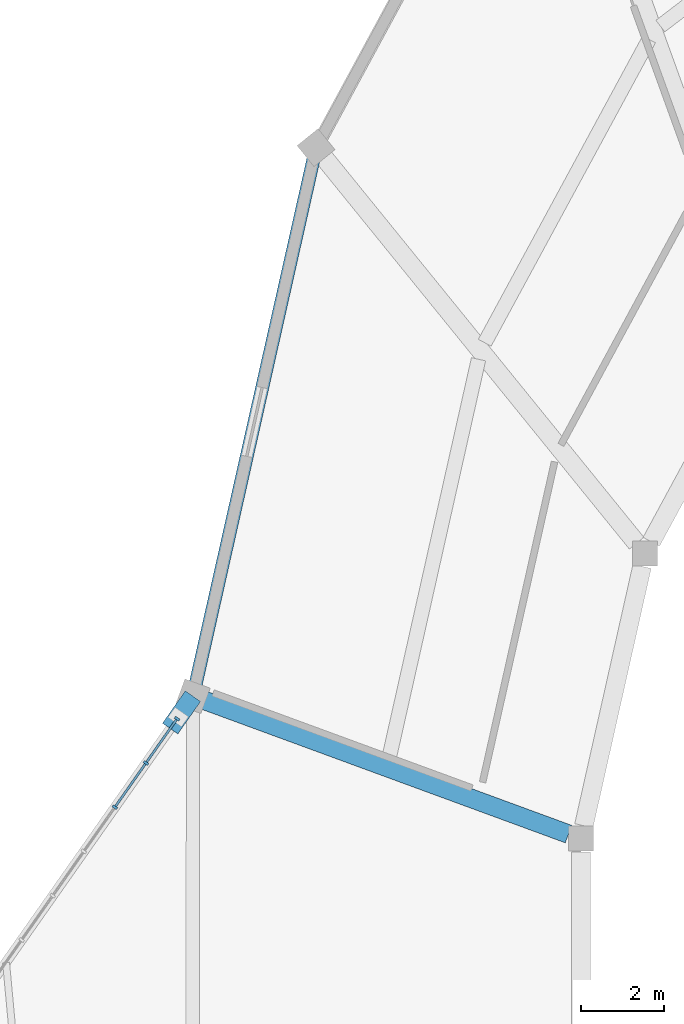
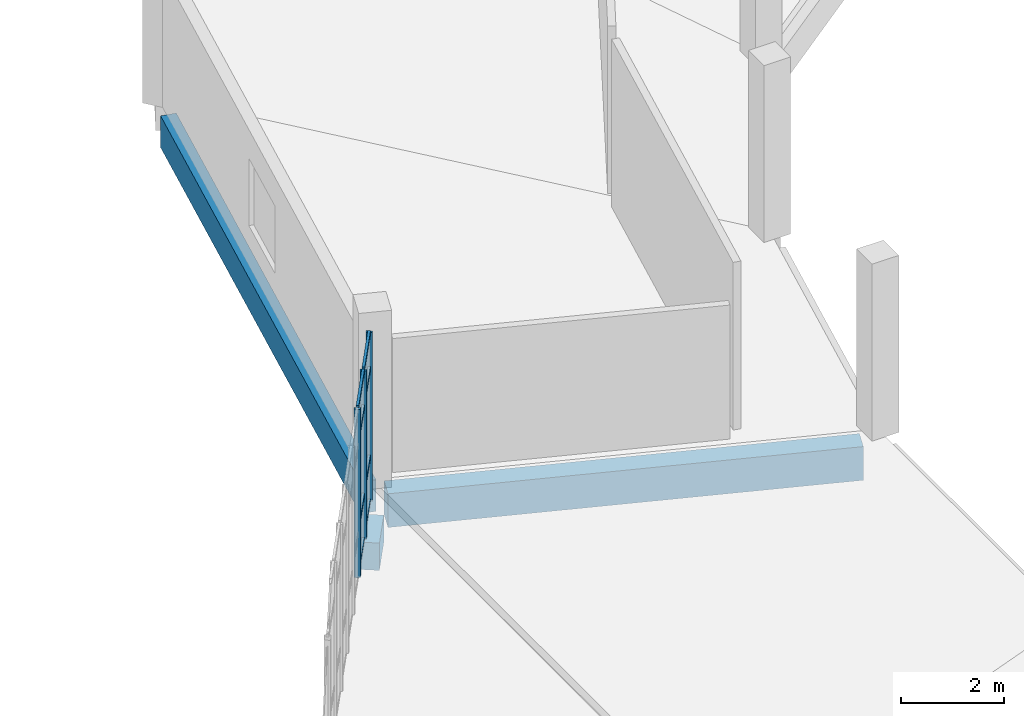
# One storey, part 61 of 142: 11 members, 3 beams, 1 element without a shape of its own.
"""IFC4 building model written with IfcOpenShell, lengths in metres."""

from ifc_helpers import new_model, si_unit, direction, frame, origin, origin_2d, place, context, subcontext, project, spatial, rectangle, extrude, material, layer, layer_set, material_profile, profile_set, type_object, element, aggregate, save


model = new_model("IFC4")

# Units and contexts
model_context = context("Model", 3, precision=1e-05, world=origin(), true_north=direction((0.0, 1.0)))
body_context = subcontext(model_context, "Body", "Model", "MODEL_VIEW")
ifc_project = project(units=[si_unit("LENGTHUNIT", "METRE"), si_unit("AREAUNIT", "SQUARE_METRE"), si_unit("VOLUMEUNIT", "CUBIC_METRE"), si_unit("PLANEANGLEUNIT", "RADIAN"), si_unit("MASSUNIT", "GRAM", prefix="KILO")], contexts=[model_context])

# Site, building, storey
site_placement = place(None, origin())
site = spatial("IfcSite", under=ifc_project, at=site_placement, CompositionType="ELEMENT")
building_placement = place(site_placement, origin())
building = spatial("IfcBuilding", under=site, at=building_placement, Name="Corvandel Quay Wholesale Market", CompositionType="ELEMENT")
storey_placement = place(building_placement, frame((0.0, 0.0, 10.800048828125)))
storey = spatial("IfcBuildingStorey", under=building, at=storey_placement, Name="L02", CompositionType="ELEMENT", Elevation=10.800048828125)

# Beam
ifc_material_1 = material(Name="Precast concrete C45/55", Category="concrete")
ifc_material_profile_1 = material_profile(ifc_material_1, rectangle(XDim=0.449951171875, YDim=0.800048828125, at=origin_2d()), Name="PC-GIR-450x800")
ifc_profile_set_1 = profile_set([ifc_material_profile_1], Name="Precast concrete C45/55")
beam_type_1 = type_object("IfcBeamType", Name="Auction Pavilion Girder G05 450x800", PredefinedType="USERDEFINED", material=ifc_profile_set_1)
beam_1_placement = place(storey_placement, frame((175.25341796875, 67.06787109375, -0.6201171875), z_axis=(0.938713588156, -0.344698127949, 0.0), x_axis=(0.344698127949, 0.938713588156, 0.0)))
element("IfcBeam", 1, at=beam_1_placement, inside=storey, type_object=beam_type_1, Name="Beam BM-0847", ObjectType="GIRDER", PredefinedType="USERDEFINED", context=body_context, shape_type="SweptSolid", body=[
    extrude(rectangle(XDim=0.449951171875, YDim=0.800048828125, at=origin_2d()), origin(), (0.0, 0.0, 1.0), 9.381103515625),
])

# Curtain wall, members
ifc_material_2 = material(Name="Bronze anodised aluminium and low-E insulated glazing", Category="aluminium")
ifc_layer = layer(ifc_material_2, 0.14990234375)
ifc_layer_set = layer_set([ifc_layer], Name="Bronze anodised aluminium and low-E insulated glazing")
curtain_wall_type = type_object("IfcCurtainWallType", Name="Stick Curtain Wall System CW20 H4800", PredefinedType="NOTDEFINED", material=ifc_layer_set)
curtain_wall_placement = place(storey_placement, origin())
curtain_wall = element("IfcCurtainWall", 2, at=curtain_wall_placement, inside=storey, type_object=curtain_wall_type, Name="Curtain Wall CW-0179", PredefinedType="NOTDEFINED")
ifc_material_3 = material(Name="Anodised aluminium 6063-T6", Category="aluminium")
ifc_material_profile_2 = material_profile(ifc_material_3, rectangle(XDim=0.06005859375, YDim=0.1298828125, at=origin_2d()), Name="ALU-MUL-60x130")
ifc_profile_set_2 = profile_set([ifc_material_profile_2], Name="Anodised aluminium 6063-T6")
member_type_1 = type_object("IfcMemberType", Name="Clerestory Mullion ML03 60x130", PredefinedType="MULLION", material=ifc_profile_set_2)
member_1_placement = place(storey_placement, frame((173.1171875, 64.482421875, -0.030029296875), z_axis=(0.0, 0.0, 1.0), x_axis=(0.575148037348, 0.818049347616, 0.0)))
member_1 = element("IfcMember", 3, at=member_1_placement, type_object=member_type_1, Name="Mullion CW-0179-M09", PredefinedType="MULLION", context=body_context, shape_type="SweptSolid", body=[
    extrude(rectangle(XDim=0.06005859375, YDim=0.1298828125, at=origin_2d()), origin(), (0.0, 0.0, 1.0), 4.0),
])
member_2_placement = place(storey_placement, frame((173.867431640625, 65.549560546875, -0.030029296875), z_axis=(0.0, 0.0, 1.0), x_axis=(0.575148037348, 0.818049347616, 0.0)))
member_2 = element("IfcMember", 4, at=member_2_placement, type_object=member_type_1, Name="Mullion CW-0179-M10", PredefinedType="MULLION", context=body_context, shape_type="SweptSolid", body=[
    extrude(rectangle(XDim=0.06005859375, YDim=0.1298828125, at=origin_2d()), origin(), (0.0, 0.0, 1.0), 4.0),
])
member_3_placement = place(storey_placement, frame((174.61767578125, 66.616943359375, -0.030029296875), z_axis=(0.0, 0.0, 1.0), x_axis=(0.575148037348, 0.818049347616, 0.0)))
member_3 = element("IfcMember", 5, at=member_3_placement, type_object=member_type_1, Name="Mullion CW-0179-M11", PredefinedType="MULLION", context=body_context, shape_type="SweptSolid", body=[
    extrude(rectangle(XDim=0.06005859375, YDim=0.1298828125, at=origin_2d()), origin(), (0.0, 0.0, 1.0), 4.0),
])
ifc_material_profile_3 = material_profile(ifc_material_3, rectangle(XDim=0.054931640625, YDim=0.094970703125, at=origin_2d()), Name="ALU-TRN-55x95")
ifc_profile_set_3 = profile_set([ifc_material_profile_3], Name="Anodised aluminium 6063-T6")
member_type_2 = type_object("IfcMemberType", Name="Clerestory Transom TR03 55x95", PredefinedType="USERDEFINED", material=ifc_profile_set_3)
member_4_placement = place(storey_placement, frame((173.134521484375, 64.5068359375, -0.030029296875), z_axis=(0.574949065838, 0.818189202869, 0.0), x_axis=(-0.818189202869, 0.574949065838, 0.0)))
member_4 = element("IfcMember", 6, at=member_4_placement, type_object=member_type_2, Name="Transom CW-0179-T09-0", ObjectType="TRANSOM", PredefinedType="USERDEFINED", context=body_context, shape_type="SweptSolid", body=[
    extrude(rectangle(XDim=0.054931640625, YDim=0.094970703125, at=origin_2d()), origin(), (0.0, 0.0, 1.0), 1.24462890625),
])
member_5_placement = place(storey_placement, frame((173.134521484375, 64.5068359375, 1.02001953125), z_axis=(0.574949065838, 0.818189202869, 0.0), x_axis=(-0.818189202869, 0.574949065838, 0.0)))
member_5 = element("IfcMember", 7, at=member_5_placement, type_object=member_type_2, Name="Transom CW-0179-T09-1", ObjectType="TRANSOM", PredefinedType="USERDEFINED", context=body_context, shape_type="SweptSolid", body=[
    extrude(rectangle(XDim=0.054931640625, YDim=0.094970703125, at=origin_2d()), origin(), (0.0, 0.0, 1.0), 1.24462890625),
])
member_6_placement = place(storey_placement, frame((173.134521484375, 64.5068359375, 3.119873046875), z_axis=(0.574949065838, 0.818189202869, 0.0), x_axis=(-0.818189202869, 0.574949065838, 0.0)))
member_6 = element("IfcMember", 8, at=member_6_placement, type_object=member_type_2, Name="Transom CW-0179-T09-2", ObjectType="TRANSOM", PredefinedType="USERDEFINED", context=body_context, shape_type="SweptSolid", body=[
    extrude(rectangle(XDim=0.054931640625, YDim=0.094970703125, at=origin_2d()), origin(), (0.0, 0.0, 1.0), 1.24462890625),
])
member_7_placement = place(storey_placement, frame((173.134521484375, 64.5068359375, 3.969970703125), z_axis=(0.574949065838, 0.818189202869, 0.0), x_axis=(-0.818189202869, 0.574949065838, 0.0)))
member_7 = element("IfcMember", 9, at=member_7_placement, type_object=member_type_2, Name="Transom CW-0179-T09-3", ObjectType="TRANSOM", PredefinedType="USERDEFINED", context=body_context, shape_type="SweptSolid", body=[
    extrude(rectangle(XDim=0.054931640625, YDim=0.094970703125, at=origin_2d()), origin(), (0.0, 0.0, 1.0), 1.24462890625),
])
member_8_placement = place(storey_placement, frame((173.884521484375, 65.57421875, -0.030029296875), z_axis=(0.575172649736, 0.818032042769, 0.0), x_axis=(-0.818032042769, 0.575172649736, 0.0)))
member_8 = element("IfcMember", 10, at=member_8_placement, type_object=member_type_2, Name="Transom CW-0179-T10-0", ObjectType="TRANSOM", PredefinedType="USERDEFINED", context=body_context, shape_type="SweptSolid", body=[
    extrude(rectangle(XDim=0.054931640625, YDim=0.094970703125, at=origin_2d()), origin(), (0.0, 0.0, 1.0), 1.24462890625),
])
member_9_placement = place(storey_placement, frame((173.884521484375, 65.57421875, 1.02001953125), z_axis=(0.575172649736, 0.818032042769, 0.0), x_axis=(-0.818032042769, 0.575172649736, 0.0)))
member_9 = element("IfcMember", 11, at=member_9_placement, type_object=member_type_2, Name="Transom CW-0179-T10-1", ObjectType="TRANSOM", PredefinedType="USERDEFINED", context=body_context, shape_type="SweptSolid", body=[
    extrude(rectangle(XDim=0.054931640625, YDim=0.094970703125, at=origin_2d()), origin(), (0.0, 0.0, 1.0), 1.24462890625),
])
member_10_placement = place(storey_placement, frame((173.884521484375, 65.57421875, 3.119873046875), z_axis=(0.575172649736, 0.818032042769, 0.0), x_axis=(-0.818032042769, 0.575172649736, 0.0)))
member_10 = element("IfcMember", 12, at=member_10_placement, type_object=member_type_2, Name="Transom CW-0179-T10-2", ObjectType="TRANSOM", PredefinedType="USERDEFINED", context=body_context, shape_type="SweptSolid", body=[
    extrude(rectangle(XDim=0.054931640625, YDim=0.094970703125, at=origin_2d()), origin(), (0.0, 0.0, 1.0), 1.24462890625),
])
member_11_placement = place(storey_placement, frame((173.884521484375, 65.57421875, 3.969970703125), z_axis=(0.575172649736, 0.818032042769, 0.0), x_axis=(-0.818032042769, 0.575172649736, 0.0)))
member_11 = element("IfcMember", 13, at=member_11_placement, type_object=member_type_2, Name="Transom CW-0179-T10-3", ObjectType="TRANSOM", PredefinedType="USERDEFINED", context=body_context, shape_type="SweptSolid", body=[
    extrude(rectangle(XDim=0.054931640625, YDim=0.094970703125, at=origin_2d()), origin(), (0.0, 0.0, 1.0), 1.24462890625),
])
aggregate(curtain_wall, [member_1, member_2, member_3, member_4, member_5, member_6, member_7, member_8, member_9, member_10, member_11])

# Beams
ifc_material_profile_4 = material_profile(ifc_material_1, rectangle(XDim=0.320068359375, YDim=0.75, at=origin_2d()), Name="PC-SPN-320x750")
ifc_profile_set_4 = profile_set([ifc_material_profile_4], Name="Precast concrete C45/55")
beam_type_2 = type_object("IfcBeamType", Name="Pavilion Precast Spandrel SP02 320x750", PredefinedType="SPANDREL", material=ifc_profile_set_4)
beam_2_placement = place(storey_placement, frame((177.909912109375, 80.128662109375, -0.594970703125), z_axis=(-0.218953092988, -0.975735385784, 0.0), x_axis=(0.975735385784, -0.218953092988, 0.0)))
element("IfcBeam", 14, at=beam_2_placement, inside=storey, type_object=beam_type_2, Name="Beam BM-0835", PredefinedType="SPANDREL", context=body_context, shape_type="SweptSolid", body=[
    extrude(rectangle(XDim=0.320068359375, YDim=0.75, at=origin_2d()), origin(), (0.0, 0.0, 1.0), 13.020263671875),
])
ifc_material_profile_5 = material_profile(ifc_material_1, rectangle(XDim=0.449951171875, YDim=0.64990234375, at=origin_2d()), Name="PC-COR-680x650")
ifc_profile_set_5 = profile_set([ifc_material_profile_5], Name="Precast concrete C45/55")
beam_type_3 = type_object("IfcBeamType", Name="Seismic Joint Precast Corbel CB01 680x650", PredefinedType="BEAM", material=ifc_profile_set_5)
beam_3_placement = place(storey_placement, frame((175.0, 67.160888671875, -1.156982421875), z_axis=(-0.57517675199, -0.818029158386, 0.0), x_axis=(0.818029158386, -0.57517675199, 0.0)))
element("IfcBeam", 15, at=beam_3_placement, inside=storey, type_object=beam_type_3, Name="Beam BM-1798", PredefinedType="BEAM", context=body_context, shape_type="SweptSolid", body=[
    extrude(rectangle(XDim=0.449951171875, YDim=0.64990234375, at=origin_2d()), origin(), (0.0, 0.0, 1.0), 0.955078125),
])

save(model, "model.ifc")
